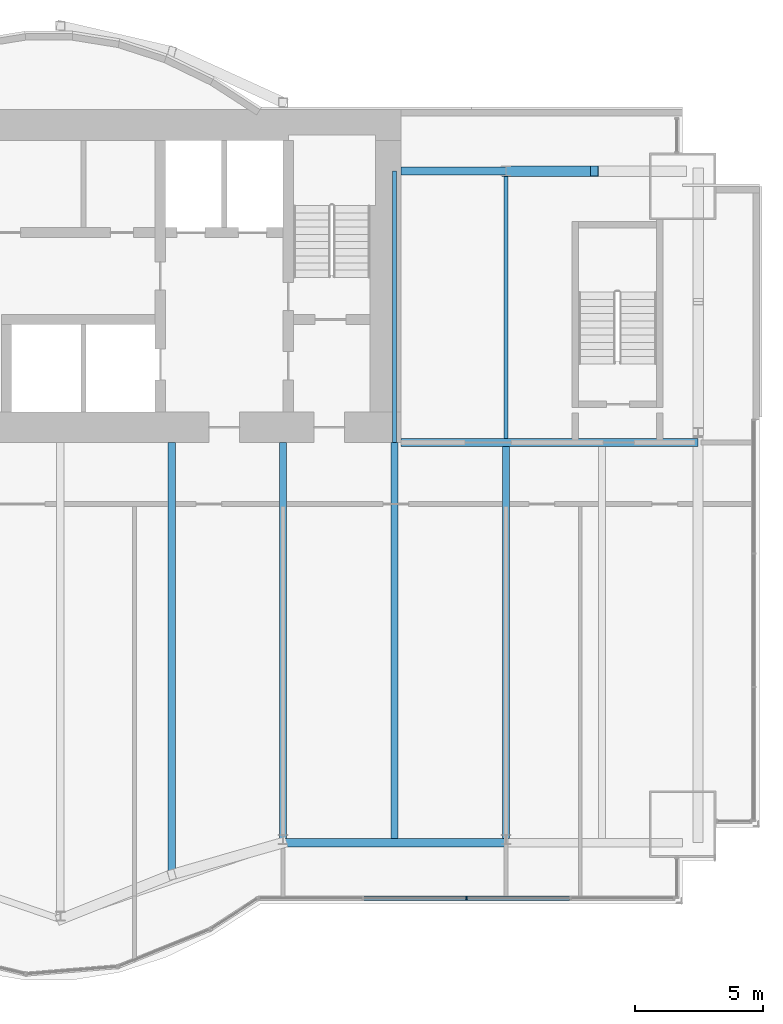
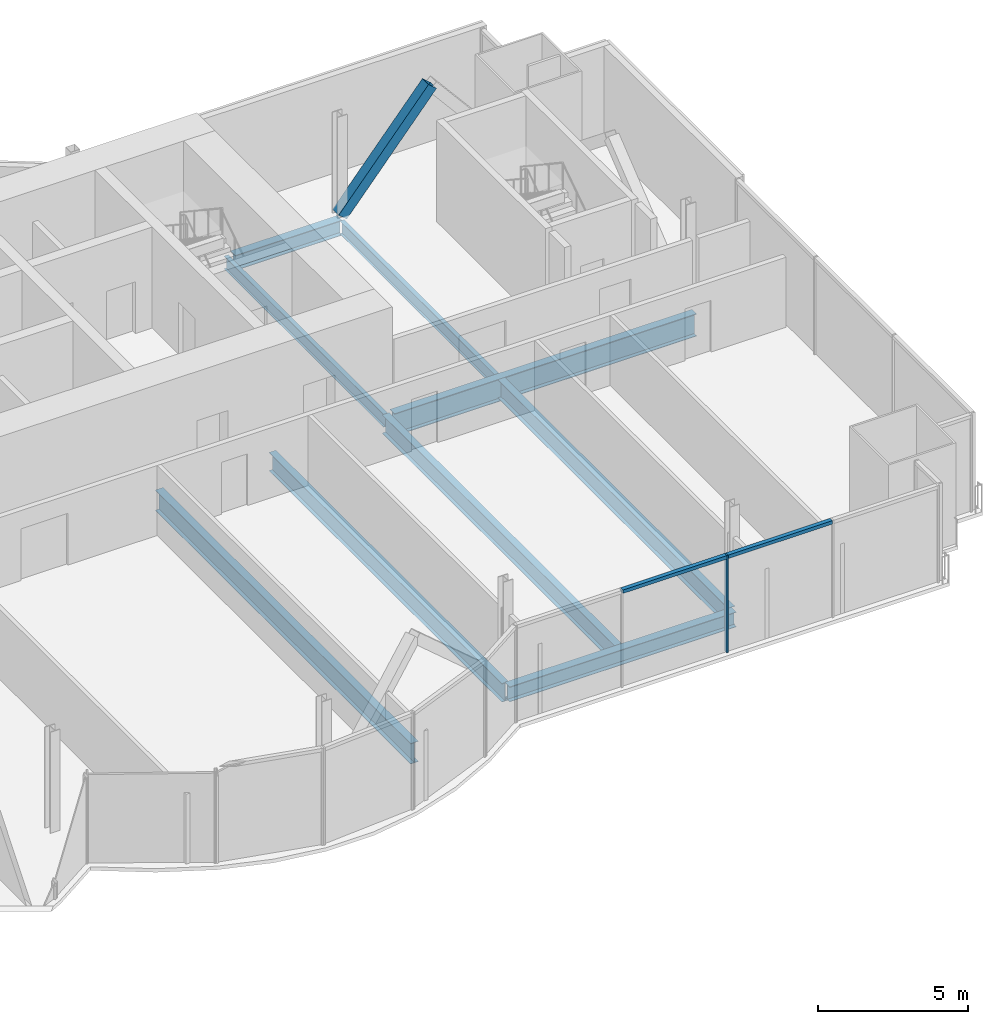
# One storey, part 9 of 20: 9 beams, 4 members, 1 element without a shape of its own.
"""IFC4 building model written with IfcOpenShell, lengths in metres."""

from ifc_helpers import new_model, si_unit, direction, frame, origin, origin_2d, place, context, subcontext, project, spatial, rectangle, hollow_rectangle, i_section, extrude, material, material_profile, profile_set, type_object, element, aggregate, save


model = new_model("IFC4")

# Units and contexts
model_context = context("Model", 3, precision=1e-05, world=origin(), true_north=direction((0.0, 1.0)))
body_context = subcontext(model_context, "Body", "Model", "MODEL_VIEW")
ifc_project = project(units=[si_unit("LENGTHUNIT", "METRE"), si_unit("AREAUNIT", "SQUARE_METRE"), si_unit("VOLUMEUNIT", "CUBIC_METRE"), si_unit("PLANEANGLEUNIT", "RADIAN"), si_unit("MASSUNIT", "GRAM", prefix="KILO")], contexts=[model_context])

# Site, building, storey
site_placement = place(None, origin())
site = spatial("IfcSite", under=ifc_project, at=site_placement, CompositionType="ELEMENT")
building_placement = place(site_placement, origin())
building = spatial("IfcBuilding", under=site, at=building_placement, Name="Bicima Exchange Tower", CompositionType="ELEMENT")
storey_placement = place(building_placement, frame((0.0, 0.0, 227.800048828125)))
storey = spatial("IfcBuildingStorey", under=building, at=storey_placement, Name="L51", CompositionType="ELEMENT", Elevation=227.800048828125)

# Beams
ifc_material_1 = material(Name="Steel ASTM A992 Gr 50", Category="steel")
ifc_material_profile_1 = material_profile(ifc_material_1, i_section(OverallWidth=0.3046875, OverallDepth=0.911865234375, WebThickness=0.015869140625, FlangeThickness=0.02392578125, at=origin_2d()))
ifc_profile_set_1 = profile_set([ifc_material_profile_1], Name="Steel ASTM A992 Gr 50")
beam_type_1 = type_object("IfcBeamType", Name="Core-line girder W36x150", PredefinedType="BEAM", material=ifc_profile_set_1)
beam_1_placement = place(storey_placement, frame((22.0, -13.0, -0.60595703125), z_axis=(1.0, 0.0, 0.0), x_axis=(0.0, 1.0, 0.0)))
element("IfcBeam", 1, at=beam_1_placement, inside=storey, type_object=beam_type_1, Name="Core-line girder", PredefinedType="BEAM", context=body_context, shape_type="SweptSolid", body=[
    extrude(i_section(OverallWidth=0.3046875, OverallDepth=0.911865234375, WebThickness=0.015869140625, FlangeThickness=0.02392578125, at=origin_2d()), origin(), (0.0, 0.0, 1.0), 11.60009765625),
])
ifc_material_profile_2 = material_profile(ifc_material_1, i_section(OverallWidth=0.165771484375, OverallDepth=0.5283203125, WebThickness=0.009765625, FlangeThickness=0.013671875, at=origin_2d()))
ifc_profile_set_2 = profile_set([ifc_material_profile_2], Name="Steel ASTM A992 Gr 50")
beam_type_2 = type_object("IfcBeamType", Name="Floor beam W21x50", PredefinedType="JOIST", material=ifc_profile_set_2)
beam_2_placement = place(storey_placement, frame((21.75, -2.39990234375, -0.414306640625), z_axis=(0.0, -1.0, 0.0), x_axis=(1.0, 0.0, 0.0)))
element("IfcBeam", 2, at=beam_2_placement, inside=storey, type_object=beam_type_2, Name="Floor beam", PredefinedType="JOIST", context=body_context, shape_type="SweptSolid", body=[
    extrude(i_section(OverallWidth=0.165771484375, OverallDepth=0.5283203125, WebThickness=0.009765625, FlangeThickness=0.013671875, at=origin_2d()), origin(), (0.0, 0.0, 1.0), 10.60009765625),
])
beam_3_placement = place(storey_placement, frame((26.10009765625, -2.5625, -0.414306640625), z_axis=(0.0, -1.0, 0.0), x_axis=(1.0, 0.0, 0.0)))
element("IfcBeam", 3, at=beam_3_placement, inside=storey, type_object=beam_type_2, Name="Floor beam", PredefinedType="JOIST", context=body_context, shape_type="SweptSolid", body=[
    extrude(i_section(OverallWidth=0.165771484375, OverallDepth=0.5283203125, WebThickness=0.009765625, FlangeThickness=0.013671875, at=origin_2d()), origin(), (0.0, 0.0, 1.0), 10.28515625),
])
ifc_material_profile_3 = material_profile(ifc_material_1, i_section(OverallWidth=0.2666015625, OverallDepth=0.75439453125, WebThickness=0.01318359375, FlangeThickness=0.01708984375, at=origin_2d()))
ifc_profile_set_3 = profile_set([ifc_material_profile_3], Name="Steel ASTM A992 Gr 50")
beam_type_3 = type_object("IfcBeamType", Name="Floor beam W30x99", PredefinedType="JOIST", material=ifc_profile_set_3)
beam_4_placement = place(storey_placement, frame((17.39990234375, -13.0, -0.52734375), z_axis=(0.0, -1.0, 0.0), x_axis=(1.0, 0.0, 0.0)))
element("IfcBeam", 4, at=beam_4_placement, inside=storey, type_object=beam_type_3, Name="Floor beam", PredefinedType="JOIST", context=body_context, shape_type="SweptSolid", body=[
    extrude(i_section(OverallWidth=0.2666015625, OverallDepth=0.75439453125, WebThickness=0.01318359375, FlangeThickness=0.01708984375, at=origin_2d()), origin(), (0.0, 0.0, 1.0), 15.484375),
])
beam_5_placement = place(storey_placement, frame((21.75, -13.0, -0.52734375), z_axis=(0.0, -1.0, 0.0), x_axis=(1.0, 0.0, 0.0)))
element("IfcBeam", 5, at=beam_5_placement, inside=storey, type_object=beam_type_3, Name="Floor beam", PredefinedType="JOIST", context=body_context, shape_type="SweptSolid", body=[
    extrude(i_section(OverallWidth=0.2666015625, OverallDepth=0.75439453125, WebThickness=0.01318359375, FlangeThickness=0.01708984375, at=origin_2d()), origin(), (0.0, 0.0, 1.0), 15.45751953125),
])
beam_6_placement = place(storey_placement, frame((26.10009765625, -13.15234375, -0.52734375), z_axis=(0.0, -1.0, 0.0), x_axis=(1.0, 0.0, 0.0)))
element("IfcBeam", 6, at=beam_6_placement, inside=storey, type_object=beam_type_3, Name="Floor beam", PredefinedType="JOIST", context=body_context, shape_type="SweptSolid", body=[
    extrude(i_section(OverallWidth=0.2666015625, OverallDepth=0.75439453125, WebThickness=0.01318359375, FlangeThickness=0.01708984375, at=origin_2d()), origin(), (0.0, 0.0, 1.0), 15.30517578125),
])
ifc_material_profile_4 = material_profile(ifc_material_1, i_section(OverallWidth=0.2919921875, OverallDepth=0.835693359375, WebThickness=0.013916015625, FlangeThickness=0.018798828125, at=origin_2d()))
ifc_profile_set_4 = profile_set([ifc_material_profile_4], Name="Steel ASTM A992 Gr 50")
beam_type_4 = type_object("IfcBeamType", Name="Floor beam W33x118", PredefinedType="JOIST", material=ifc_profile_set_4)
beam_7_placement = place(storey_placement, frame((13.050048828125, -13.0, -0.56787109375), z_axis=(0.0, -1.0, 0.0), x_axis=(1.0, 0.0, 0.0)))
element("IfcBeam", 7, at=beam_7_placement, inside=storey, type_object=beam_type_4, Name="Floor beam", PredefinedType="JOIST", context=body_context, shape_type="SweptSolid", body=[
    extrude(i_section(OverallWidth=0.2919921875, OverallDepth=0.835693359375, WebThickness=0.013916015625, FlangeThickness=0.018798828125, at=origin_2d()), origin(), (0.0, 0.0, 1.0), 16.97998046875),
])
ifc_material_profile_5 = material_profile(ifc_material_1, i_section(OverallWidth=0.3251953125, OverallDepth=0.612060546875, WebThickness=0.0126953125, FlangeThickness=0.01904296875, at=origin_2d()))
ifc_profile_set_5 = profile_set([ifc_material_profile_5], Name="Steel ASTM A992 Gr 50")
beam_type_5 = type_object("IfcBeamType", Name="Front girder W24x104", PredefinedType="BEAM", material=ifc_profile_set_5)
beam_8_placement = place(storey_placement, frame((17.39990234375, -28.6201171875, -0.4560546875), z_axis=(1.0, 0.0, 0.0), x_axis=(0.0, 1.0, 0.0)))
element("IfcBeam", 8, at=beam_8_placement, inside=storey, type_object=beam_type_5, Name="Front girder", PredefinedType="BEAM", context=body_context, shape_type="SweptSolid", body=[
    extrude(i_section(OverallWidth=0.3251953125, OverallDepth=0.612060546875, WebThickness=0.0126953125, FlangeThickness=0.01904296875, at=origin_2d()), origin(), (0.0, 0.0, 1.0), 8.7001953125),
])

# Curtain wall, members
ifc_material_2 = material(Name="Anodised bronze aluminium", Category="aluminium")
curtain_wall_type = type_object("IfcCurtainWallType", Name="Front glass wall", PredefinedType="NOTDEFINED", material=ifc_material_2)
curtain_wall_placement = place(storey_placement, origin())
curtain_wall = element("IfcCurtainWall", 9, at=curtain_wall_placement, inside=storey, type_object=curtain_wall_type, Name="Front glass wall L51 run 16", PredefinedType="NOTDEFINED")
ifc_material_profile_6 = material_profile(ifc_material_2, rectangle(XDim=0.159912109375, YDim=0.06005859375, at=origin_2d()))
ifc_profile_set_6 = profile_set([ifc_material_profile_6], Name="Anodised bronze aluminium")
member_type_1 = type_object("IfcMemberType", Name="Front glass wall mullion 60 x 160", PredefinedType="MULLION", material=ifc_profile_set_6)
member_1_placement = place(storey_placement, frame((24.56103515625, -30.7900390625, 0.0), z_axis=(0.0, 0.0, 1.0), x_axis=(0.0, 1.0, 0.0)))
member_1 = element("IfcMember", 10, at=member_1_placement, type_object=member_type_1, Name="Front glass wall mullion 3", PredefinedType="MULLION", context=body_context, shape_type="SweptSolid", body=[
    extrude(rectangle(XDim=0.159912109375, YDim=0.06005859375, at=origin_2d()), origin(), (0.0, 0.0, 1.0), 3.949951171875),
])
ifc_material_profile_7 = material_profile(ifc_material_2, rectangle(XDim=0.159912109375, YDim=0.139892578125, at=origin_2d()))
ifc_profile_set_7 = profile_set([ifc_material_profile_7], Name="Anodised bronze aluminium")
member_type_2 = type_object("IfcMemberType", Name="Front glass wall transom 140 x 160", PredefinedType="USERDEFINED", material=ifc_profile_set_7)
member_2_placement = place(storey_placement, frame((20.54150390625, -30.7900390625, 3.8798828125), z_axis=(1.0, 0.0, 0.0), x_axis=(0.0, 1.0, 0.0)))
member_2 = element("IfcMember", 11, at=member_2_placement, type_object=member_type_2, Name="Front glass wall transom 2.1", ObjectType="TRANSOM", PredefinedType="USERDEFINED", context=body_context, shape_type="SweptSolid", body=[
    extrude(rectangle(XDim=0.159912109375, YDim=0.139892578125, at=origin_2d()), origin(), (0.0, 0.0, 1.0), 3.989501953125),
])
member_3_placement = place(storey_placement, frame((24.591064453125, -30.7900390625, 3.8798828125), z_axis=(1.0, 0.0, 0.0), x_axis=(0.0, 1.0, 0.0)))
member_3 = element("IfcMember", 12, at=member_3_placement, type_object=member_type_2, Name="Front glass wall transom 3.1", ObjectType="TRANSOM", PredefinedType="USERDEFINED", context=body_context, shape_type="SweptSolid", body=[
    extrude(rectangle(XDim=0.159912109375, YDim=0.139892578125, at=origin_2d()), origin(), (0.0, 0.0, 1.0), 3.989501953125),
])
aggregate(curtain_wall, [member_1, member_2, member_3])

# Member
ifc_material_3 = material(Name="Steel ASTM A572 Gr 50", Category="steel")
ifc_material_profile_8 = material_profile(ifc_material_3, hollow_rectangle(XDim=0.406494140625, YDim=0.406494140625, WallThickness=0.0146484375, at=origin_2d()))
ifc_profile_set_8 = profile_set([ifc_material_profile_8], Name="Steel ASTM A572 Gr 50")
member_type_3 = type_object("IfcMemberType", Name="Mega brace HSS16x16x5/8", PredefinedType="BRACE", material=ifc_profile_set_8)
member_4_placement = place(storey_placement, frame((26.10009765625, -2.39990234375, 0.0), z_axis=(0.643856488545, 0.0, 0.765146275008), x_axis=(0.0, 1.0, 0.0)))
element("IfcMember", 13, at=member_4_placement, inside=storey, type_object=member_type_3, Name="Mega brace rear", PredefinedType="BRACE", context=body_context, shape_type="SweptSolid", body=[
    extrude(hollow_rectangle(XDim=0.406494140625, YDim=0.406494140625, WallThickness=0.0146484375, at=origin_2d()), origin(), (0.0, 0.0, 1.0), 5.358154296875),
])

# Beam
beam_type_6 = type_object("IfcBeamType", Name="Rear girder W24x104", PredefinedType="BEAM", material=ifc_profile_set_5)
beam_9_placement = place(storey_placement, frame((22.0, -2.39990234375, -0.4560546875), z_axis=(1.0, 0.0, 0.0), x_axis=(0.0, 1.0, 0.0)))
element("IfcBeam", 14, at=beam_9_placement, inside=storey, type_object=beam_type_6, Name="Rear girder", PredefinedType="BEAM", context=body_context, shape_type="SweptSolid", body=[
    extrude(i_section(OverallWidth=0.3251953125, OverallDepth=0.612060546875, WebThickness=0.0126953125, FlangeThickness=0.01904296875, at=origin_2d()), origin(), (0.0, 0.0, 1.0), 4.10009765625),
])

save(model, "model.ifc")
